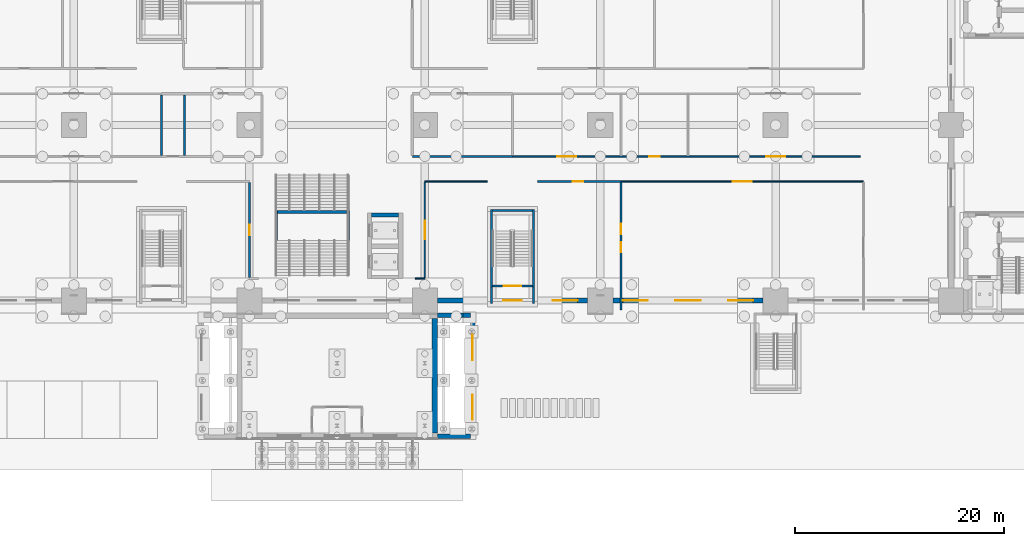
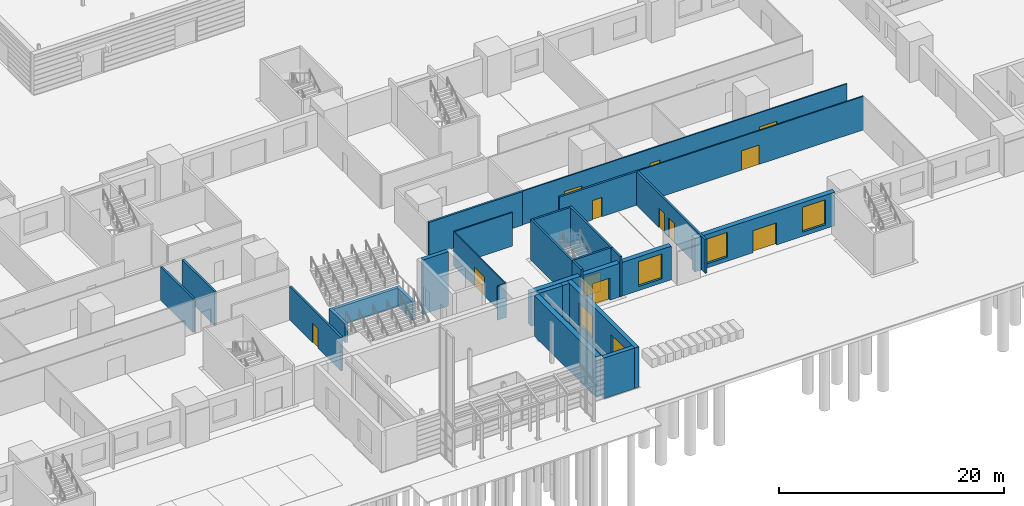
# One storey, part 82 of 139: 28 walls, 12 doors, 5 windows, 17 openings.
"""IFC4 building model written with IfcOpenShell, lengths in metres."""

from ifc_helpers import new_model, si_unit, direction, frame, frame_2d, origin, place, context, subcontext, project, spatial, rectangle, extrude, material, layer, layer_set, type_object, element, fill, save


model = new_model("IFC4")

# Units and contexts
model_context = context("Model", 3, precision=1e-05, world=origin(), true_north=direction((0.0, 1.0)))
body_context = subcontext(model_context, "Body", "Model", "MODEL_VIEW")
ifc_project = project(units=[si_unit("LENGTHUNIT", "METRE"), si_unit("AREAUNIT", "SQUARE_METRE"), si_unit("VOLUMEUNIT", "CUBIC_METRE"), si_unit("PLANEANGLEUNIT", "RADIAN"), si_unit("MASSUNIT", "GRAM", prefix="KILO")], contexts=[model_context])

# Site, building, storey
site_placement = place(None, origin())
site = spatial("IfcSite", under=ifc_project, at=site_placement, CompositionType="ELEMENT")
building_placement = place(site_placement, origin())
building = spatial("IfcBuilding", under=site, at=building_placement, Name="Verrick Yard Athletic Hall", CompositionType="ELEMENT")
storey_placement = place(building_placement, origin())
storey = spatial("IfcBuildingStorey", under=building, at=storey_placement, Name="L00", CompositionType="ELEMENT", Elevation=0.0)

# Walls
ifc_material_1 = material(Name="Concrete 35 MPa", Category="concrete")
ifc_layer_1 = layer(ifc_material_1, 0.39990234375)
ifc_layer_set_1 = layer_set([ifc_layer_1], Name="Core wall CR400")
wall_type_1 = type_object("IfcWallType", Name="Core wall CR400", PredefinedType="SHEAR", material=ifc_layer_set_1)
wall_1_placement = place(storey_placement, frame((102.10009765625, 27.39990234375, -1.5), z_axis=(0.0, 0.0, 1.0), x_axis=(1.0, 0.0, 0.0)))
element("IfcWall", 1, at=wall_1_placement, inside=storey, type_object=wall_type_1, Name="CORE-FOY-WN-L00", PredefinedType="SHEAR", context=body_context, shape_type="SweptSolid", body=[
    extrude(rectangle(XDim=2.599853515625, YDim=0.39990234375, at=frame_2d((1.2998046875, 0.0))), origin(), (0.0, 0.0, 1.0), 5.89990234375),
])
ifc_layer_2 = layer(ifc_material_1, 0.199951171875)
ifc_layer_set_2 = layer_set([ifc_layer_2], Name="Enclosure wall CR200")
wall_type_2 = type_object("IfcWallType", Name="Enclosure wall CR200", PredefinedType="SOLIDWALL", material=ifc_layer_set_2)
for number, where, z_axis, x_axis, name in (
    (2, (113.60009765625, 20.5, 0.0), (0.0, 0.0, 1.0), (0.0, 1.0, 0.0), "CORE-PS-S3-WW-L00"),
    (3, (117.60009765625, 20.5, 0.0), (0.0, 0.0, 1.0), (0.0, 1.0, 0.0), "CORE-PS-S3-WE-L00"),
):
    element("IfcWall", number, at=place(storey_placement, frame(where, z_axis=z_axis, x_axis=x_axis)), inside=storey, type_object=wall_type_2, Name=name, PredefinedType="SOLIDWALL", context=body_context, shape_type="SweptSolid", body=[
        extrude(rectangle(XDim=7.39990234375, YDim=0.199951171875, at=frame_2d((3.699951171875, 0.0))), origin(), (0.0, 0.0, 1.0), 4.39990234375),
    ])

# Wall, opening, door
wall_2_placement = place(storey_placement, frame((113.699951171875, 20.60009765625, 0.0), z_axis=(0.0, 0.0, 1.0), x_axis=(1.0, 0.0, 0.0)))
wall_2 = element("IfcWall", 4, at=wall_2_placement, inside=storey, type_object=wall_type_2, Name="CORE-PS-S3-WS-L00", PredefinedType="SOLIDWALL", context=body_context, shape_type="SweptSolid", body=[
    extrude(rectangle(XDim=3.800048828125, YDim=0.199951171875, at=frame_2d((1.89990234375, 0.0))), origin(), (0.0, 0.0, 1.0), 4.39990234375),
])
opening_1_placement = place(wall_2_placement, frame((1.050048828125, 0.0, 0.0)))
opening_1 = element("IfcOpeningElement", 5, at=opening_1_placement, cuts=wall_2, Name="Opening SD2", PredefinedType="OPENING", context=body_context, shape_type="SweptSolid", body=[
    extrude(rectangle(XDim=1.699951171875, YDim=2.10009765625, at=frame_2d((0.85009765625, 1.050048828125))), frame((0.0, 0.10986328125, 0.0), z_axis=(0.0, -1.0, 0.0), x_axis=(1.0, 0.0, 0.0)), (0.0, 0.0, 1.0), 0.219970703125),
])
ifc_material_2 = material(Name="Hollow metal door leaf")
door_type_1 = type_object("IfcDoorType", Name="Core door SD2 1700x2100", OperationType="NOTDEFINED", PredefinedType="DOOR", material=ifc_material_2)
door_1_placement = place(opening_1_placement, origin())
door_1 = element("IfcDoor", 6, at=door_1_placement, inside=storey, type_object=door_type_1, Name="CORE-PS-S3-WS-L00-DSD2-11560", OperationType="DOUBLE_DOOR_SINGLE_SWING", OverallHeight=2.10009765625, OverallWidth=1.699951171875, PredefinedType="DOOR", context=body_context, shape_type="SweptSolid", body=[
    extrude(rectangle(XDim=1.699951171875, YDim=2.10009765625, at=frame_2d((0.85009765625, 1.050048828125))), frame((0.0, 0.02490234375, 0.0), z_axis=(0.0, -1.0, 0.0), x_axis=(1.0, 0.0, 0.0)), (0.0, 0.0, 1.0), 0.050048828125),
])
fill(opening_1, door_1)

# Walls
wall_3_placement = place(storey_placement, frame((113.699951171875, 27.800048828125, 0.0), z_axis=(0.0, 0.0, 1.0), x_axis=(1.0, 0.0, 0.0)))
element("IfcWall", 7, at=wall_3_placement, inside=storey, type_object=wall_type_2, Name="CORE-PS-S3-WN-L00", PredefinedType="SOLIDWALL", context=body_context, shape_type="SweptSolid", body=[
    extrude(rectangle(XDim=3.800048828125, YDim=0.199951171875, at=frame_2d((1.89990234375, 0.0))), origin(), (0.0, 0.0, 1.0), 4.39990234375),
])
for number, where, z_axis, x_axis, name in (
    (8, (113.60009765625, 18.89990234375, 0.0), (0.0, 0.0, 1.0), (0.0, 1.0, 0.0), "CORE-PS-S3-VWW"),
    (9, (117.60009765625, 18.89990234375, 0.0), (0.0, 0.0, 1.0), (0.0, 1.0, 0.0), "CORE-PS-S3-VWE"),
):
    element("IfcWall", number, at=place(storey_placement, frame(where, z_axis=z_axis, x_axis=x_axis)), inside=storey, type_object=wall_type_2, Name=name, PredefinedType="SOLIDWALL", context=body_context, shape_type="SweptSolid", body=[
        extrude(rectangle(XDim=1.60009765625, YDim=0.199951171875, at=frame_2d((0.800048828125, 0.0))), origin(), (0.0, 0.0, 1.0), 4.39990234375),
    ])
ifc_layer_3 = layer(ifc_material_1, 0.300048828125)
ifc_layer_set_3 = layer_set([ifc_layer_3], Name="Foyer wall CR300")
wall_type_3 = type_object("IfcWallType", Name="Foyer wall CR300", PredefinedType="SOLIDWALL", material=ifc_layer_set_3)
for number, where, z_axis, x_axis, name in (
    (10, (92.949951171875, 24.9599609375, 0.0), (0.0, 0.0, 1.0), (0.0, 1.0, 0.0), "CORE-FOY-LWW"),
    (11, (99.85009765625, 24.9599609375, 0.0), (0.0, 0.0, 1.0), (0.0, 1.0, 0.0), "CORE-FOY-LWE"),
):
    element("IfcWall", number, at=place(storey_placement, frame(where, z_axis=z_axis, x_axis=x_axis)), inside=storey, type_object=wall_type_3, Name=name, PredefinedType="SOLIDWALL", context=body_context, shape_type="SweptSolid", body=[
        extrude(rectangle(XDim=2.880126953125, YDim=0.300048828125, at=frame_2d((1.43994140625, 0.0))), origin(), (0.0, 0.0, 1.0), 2.0),
    ])
wall_4_placement = place(storey_placement, frame((93.10009765625, 27.68994140625, 0.0), z_axis=(0.0, 0.0, 1.0), x_axis=(1.0, 0.0, 0.0)))
element("IfcWall", 12, at=wall_4_placement, inside=storey, type_object=wall_type_3, Name="CORE-FOY-LWN", PredefinedType="SOLIDWALL", context=body_context, shape_type="SweptSolid", body=[
    extrude(rectangle(XDim=6.599853515625, YDim=0.300048828125, at=frame_2d((3.2998046875, 0.0))), origin(), (0.0, 0.0, 1.0), 2.0),
])

# Wall, openings, windows
ifc_material_3 = material(Name="Tyndall-stone-look precast cladding", Category="masonry")
ifc_layer_4 = layer(ifc_material_3, 0.0625, Name="Tyndall-stone-look precast cladding")
ifc_material_4 = material(Name="Mineral wool insulation")
ifc_layer_5 = layer(ifc_material_4, 0.125, Name="Mineral wool insulation")
ifc_layer_6 = layer(ifc_material_1, 0.25, Name="Concrete 35 MPa")
ifc_layer_set_4 = layer_set([ifc_layer_4, ifc_layer_5, ifc_layer_6], Name="Lean-to wall")
wall_type_4 = type_object("IfcWallType", Name="Lean-to wall", PredefinedType="SOLIDWALL", material=ifc_layer_set_4)
wall_5_placement = place(storey_placement, frame((111.78125, 6.0, 0.0), z_axis=(0.0, 0.0, 1.0), x_axis=(0.0, 1.0, 0.0)))
wall_5 = element("IfcWall", 13, at=wall_5_placement, inside=storey, type_object=wall_type_4, Name="ENVB-LT-E-OUT", PredefinedType="SOLIDWALL", context=body_context, shape_type="SweptSolid", body=[
    extrude(rectangle(XDim=12.0, YDim=0.4375, at=frame_2d((6.0, 0.0))), origin(), (0.0, 0.0, 1.0), 4.39990234375),
])
opening_2_placement = place(wall_5_placement, frame((1.800048828125, 0.0, 0.89990234375)))
opening_2 = element("IfcOpeningElement", 14, at=opening_2_placement, cuts=wall_5, Name="Opening W32", PredefinedType="OPENING", context=body_context, shape_type="SweptSolid", body=[
    extrude(rectangle(XDim=2.39990234375, YDim=2.39990234375, at=frame_2d((1.199951171875, 1.199951171875))), frame((0.0, 0.228759765625, 0.0), z_axis=(0.0, -1.0, 0.0), x_axis=(1.0, 0.0, 0.0)), (0.0, 0.0, 1.0), 0.45751953125),
])
opening_3_placement = place(wall_5_placement, frame((7.5, 0.0, 0.89990234375)))
opening_3 = element("IfcOpeningElement", 15, at=opening_3_placement, cuts=wall_5, Name="Opening W32", PredefinedType="OPENING", context=body_context, shape_type="SweptSolid", body=[
    extrude(rectangle(XDim=2.39990234375, YDim=2.39990234375, at=frame_2d((1.199951171875, 1.199951171875))), frame((0.0, 0.228759765625, 0.0), z_axis=(0.0, -1.0, 0.0), x_axis=(1.0, 0.0, 0.0)), (0.0, 0.0, 1.0), 0.45751953125),
])
ifc_material_5 = material(Name="Anodised aluminium frame with insulated glazing", Category="aluminium")
window_type_1 = type_object("IfcWindowType", Name="Lean-to window 2400x2400", PartitioningType="NOTDEFINED", PredefinedType="WINDOW", material=ifc_material_5)
window_1_placement = place(opening_2_placement, origin())
window_1 = element("IfcWindow", 16, at=window_1_placement, inside=storey, type_object=window_type_1, Name="ENVB-LT-E-W1", OverallHeight=2.39990234375, OverallWidth=2.39990234375, PartitioningType="SINGLE_PANEL", PredefinedType="WINDOW", context=body_context, shape_type="SweptSolid", body=[
    extrude(rectangle(XDim=2.39990234375, YDim=2.39990234375, at=frame_2d((1.199951171875, 1.199951171875))), frame((0.0, 0.030029296875, 0.0), z_axis=(0.0, -1.0, 0.0), x_axis=(1.0, 0.0, 0.0)), (0.0, 0.0, 1.0), 0.06005859375),
])
fill(opening_2, window_1)
window_2_placement = place(opening_3_placement, origin())
window_2 = element("IfcWindow", 17, at=window_2_placement, inside=storey, type_object=window_type_1, Name="ENVB-LT-E-W2", OverallHeight=2.39990234375, OverallWidth=2.39990234375, PartitioningType="SINGLE_PANEL", PredefinedType="WINDOW", context=body_context, shape_type="SweptSolid", body=[
    extrude(rectangle(XDim=2.39990234375, YDim=2.39990234375, at=frame_2d((1.199951171875, 1.199951171875))), frame((0.0, 0.030029296875, 0.0), z_axis=(0.0, -1.0, 0.0), x_axis=(1.0, 0.0, 0.0)), (0.0, 0.0, 1.0), 0.06005859375),
])
fill(opening_3, window_2)

# Walls
wall_6_placement = place(storey_placement, frame((108.39990234375, 6.21875, 0.0), z_axis=(0.0, 0.0, 1.0), x_axis=(1.0, 0.0, 0.0)))
element("IfcWall", 18, at=wall_6_placement, inside=storey, type_object=wall_type_4, Name="ENVB-LT-E-S", PredefinedType="SOLIDWALL", context=body_context, shape_type="SweptSolid", body=[
    extrude(rectangle(XDim=3.16259765625, YDim=0.4375, at=frame_2d((1.581298828125, 0.0))), origin(), (0.0, 0.0, 1.0), 4.39990234375),
])
wall_7_placement = place(storey_placement, frame((108.39990234375, 17.78125, -0.89990234375), z_axis=(0.0, 0.0, 1.0), x_axis=(1.0, 0.0, 0.0)))
element("IfcWall", 19, at=wall_7_placement, inside=storey, type_object=wall_type_4, Name="ENVB-LT-E-N-1", PredefinedType="SOLIDWALL", context=body_context, shape_type="SweptSolid", body=[
    extrude(rectangle(XDim=2.4501953125, YDim=0.4375, at=frame_2d((1.22509765625, 0.0))), origin(), (0.0, 0.0, 1.0), 5.2998046875),
])
wall_8_placement = place(storey_placement, frame((110.85009765625, 17.78125, 0.0), z_axis=(0.0, 0.0, 1.0), x_axis=(1.0, 0.0, 0.0)))
element("IfcWall", 20, at=wall_8_placement, inside=storey, type_object=wall_type_4, Name="ENVB-LT-E-N-2", PredefinedType="SOLIDWALL", context=body_context, shape_type="SweptSolid", body=[
    extrude(rectangle(XDim=0.71240234375, YDim=0.4375, at=frame_2d((0.356201171875, 0.0))), origin(), (0.0, 0.0, 1.0), 4.39990234375),
])
ifc_material_6 = material(Name="Concrete masonry block 15 MPa", Category="masonry")
ifc_layer_7 = layer(ifc_material_6, 0.199951171875)
ifc_layer_set_5 = layer_set([ifc_layer_7], Name="PW1 Block partition 200")
wall_type_5 = type_object("IfcWallType", Name="PW1 Block partition 200", PredefinedType="PARTITIONING", material=ifc_layer_set_5)
wall_9_placement = place(storey_placement, frame((106.0, 33.0, 0.0), z_axis=(0.0, 0.0, 1.0), x_axis=(1.0, 0.0, 0.0)))
element("IfcWall", 21, at=wall_9_placement, inside=storey, type_object=wall_type_5, Name="Partition PW1", PredefinedType="PARTITIONING", context=body_context, shape_type="SweptSolid", body=[
    extrude(rectangle(XDim=9.60009765625, YDim=0.199951171875, at=frame_2d((4.800048828125, 0.0))), origin(), (0.0, 0.0, 1.0), 3.64990234375),
])
for number, where, z_axis, x_axis, name in (
    (22, (82.0, 33.10009765625, 0.0), (0.0, 0.0, 1.0), (0.0, 1.0, 0.0), "Partition PW1"),
    (23, (84.199951171875, 33.10009765625, 0.0), (0.0, 0.0, 1.0), (0.0, 1.0, 0.0), "Partition PW1"),
):
    element("IfcWall", number, at=place(storey_placement, frame(where, z_axis=z_axis, x_axis=x_axis)), inside=storey, type_object=wall_type_5, Name=name, PredefinedType="PARTITIONING", context=body_context, shape_type="SweptSolid", body=[
        extrude(rectangle(XDim=5.7998046875, YDim=0.199951171875, at=frame_2d((2.89990234375, 0.0))), origin(), (0.0, 0.0, 1.0), 3.64990234375),
    ])
ifc_material_7 = material(Name="Gypsum plasterboard on light-gauge studs")
ifc_layer_8 = layer(ifc_material_7, 0.125)
ifc_layer_set_6 = layer_set([ifc_layer_8], Name="PW2 Stud partition 125")
wall_type_6 = type_object("IfcWallType", Name="PW2 Stud partition 125", PredefinedType="PARTITIONING", material=ifc_layer_set_6)
wall_10_placement = place(storey_placement, frame((106.300048828125, 21.300048828125, 0.0), z_axis=(0.0, 0.0, 1.0), x_axis=(1.0, 0.0, 0.0)))
element("IfcWall", 24, at=wall_10_placement, inside=storey, type_object=wall_type_6, Name="Partition PW2", PredefinedType="PARTITIONING", context=body_context, shape_type="SweptSolid", body=[
    extrude(rectangle(XDim=0.89990234375, YDim=0.125, at=frame_2d((0.449951171875, 0.0))), origin(), (0.0, 0.0, 1.0), 3.64990234375),
])
wall_11_placement = place(storey_placement, frame((107.199951171875, 30.60009765625, 0.0), z_axis=(0.0, 0.0, 1.0), x_axis=(1.0, 0.0, 0.0)))
element("IfcWall", 25, at=wall_11_placement, inside=storey, type_object=wall_type_6, Name="Partition PW2", PredefinedType="PARTITIONING", context=body_context, shape_type="SweptSolid", body=[
    extrude(rectangle(XDim=6.0, YDim=0.125, at=frame_2d((3.0, 0.0))), origin(), (0.0, 0.0, 1.0), 3.64990234375),
])

# Wall, opening, door
wall_12_placement = place(storey_placement, frame((126.0, 30.60009765625, 0.0), z_axis=(0.0, 0.0, 1.0), x_axis=(1.0, 0.0, 0.0)))
wall_12 = element("IfcWall", 26, at=wall_12_placement, inside=storey, type_object=wall_type_6, Name="Partition PW2", PredefinedType="PARTITIONING", context=body_context, shape_type="SweptSolid", body=[
    extrude(rectangle(XDim=23.199951171875, YDim=0.125, at=frame_2d((11.60009765625, 0.0))), origin(), (0.0, 0.0, 1.0), 3.64990234375),
])
opening_4_placement = place(wall_12_placement, frame((10.699951171875, 0.0, 0.0)))
opening_4 = element("IfcOpeningElement", 27, at=opening_4_placement, cuts=wall_12, Name="Opening D3", PredefinedType="OPENING", context=body_context, shape_type="SweptSolid", body=[
    extrude(rectangle(XDim=1.800048828125, YDim=2.10009765625, at=frame_2d((0.89990234375, 1.050048828125))), frame((0.0, 0.072509765625, 0.0), z_axis=(0.0, -1.0, 0.0), x_axis=(1.0, 0.0, 0.0)), (0.0, 0.0, 1.0), 0.14501953125),
])
ifc_material_8 = material(Name="Timber door leaf in steel frame", Category="steel")
door_type_2 = type_object("IfcDoorType", Name="D3 Double door 1800 x 2100", OperationType="NOTDEFINED", PredefinedType="DOOR", material=ifc_material_8)
door_2_placement = place(opening_4_placement, origin())
door_2 = element("IfcDoor", 28, at=door_2_placement, inside=storey, type_object=door_type_2, Name="D3 Cafe", OperationType="DOUBLE_DOOR_SINGLE_SWING", OverallHeight=2.10009765625, OverallWidth=1.800048828125, PredefinedType="DOOR", context=body_context, shape_type="SweptSolid", body=[
    extrude(rectangle(XDim=1.800048828125, YDim=2.10009765625, at=frame_2d((0.89990234375, 1.050048828125))), frame((0.0, 0.02490234375, 0.0), z_axis=(0.0, -1.0, 0.0), x_axis=(1.0, 0.0, 0.0)), (0.0, 0.0, 1.0), 0.050048828125),
])
fill(opening_4, door_2)

# Wall, openings, doors
wall_13_placement = place(storey_placement, frame((115.60009765625, 33.0, 0.0), z_axis=(0.0, 0.0, 1.0), x_axis=(1.0, 0.0, 0.0)))
wall_13 = element("IfcWall", 29, at=wall_13_placement, inside=storey, type_object=wall_type_6, Name="Partition PW2", PredefinedType="PARTITIONING", context=body_context, shape_type="SweptSolid", body=[
    extrude(rectangle(XDim=33.2998046875, YDim=0.125, at=frame_2d((16.64990234375, 0.0))), origin(), (0.0, 0.0, 1.0), 3.64990234375),
])
opening_5_placement = place(wall_13_placement, frame((4.300048828125, 0.0, 0.0)))
opening_5 = element("IfcOpeningElement", 30, at=opening_5_placement, cuts=wall_13, Name="Opening D3", PredefinedType="OPENING", context=body_context, shape_type="SweptSolid", body=[
    extrude(rectangle(XDim=1.800048828125, YDim=2.10009765625, at=frame_2d((0.89990234375, 1.050048828125))), frame((0.0, 0.072509765625, 0.0), z_axis=(0.0, -1.0, 0.0), x_axis=(1.0, 0.0, 0.0)), (0.0, 0.0, 1.0), 0.14501953125),
])
opening_6_placement = place(wall_13_placement, frame((13.10009765625, 0.0, 0.0)))
opening_6 = element("IfcOpeningElement", 31, at=opening_6_placement, cuts=wall_13, Name="Opening D1", PredefinedType="OPENING", context=body_context, shape_type="SweptSolid", body=[
    extrude(rectangle(XDim=1.0, YDim=2.10009765625, at=frame_2d((0.5, 1.050048828125))), frame((0.0, 0.072509765625, 0.0), z_axis=(0.0, -1.0, 0.0), x_axis=(1.0, 0.0, 0.0)), (0.0, 0.0, 1.0), 0.14501953125),
])
opening_7_placement = place(wall_13_placement, frame((24.300048828125, 0.0, 0.0)))
opening_7 = element("IfcOpeningElement", 32, at=opening_7_placement, cuts=wall_13, Name="Opening D3", PredefinedType="OPENING", context=body_context, shape_type="SweptSolid", body=[
    extrude(rectangle(XDim=1.800048828125, YDim=2.10009765625, at=frame_2d((0.89990234375, 1.050048828125))), frame((0.0, 0.072509765625, 0.0), z_axis=(0.0, -1.0, 0.0), x_axis=(1.0, 0.0, 0.0)), (0.0, 0.0, 1.0), 0.14501953125),
])
door_type_3 = type_object("IfcDoorType", Name="D1 Single door 1000 x 2100", OperationType="NOTDEFINED", PredefinedType="DOOR", material=ifc_material_8)
door_3_placement = place(opening_6_placement, origin())
door_3 = element("IfcDoor", 33, at=door_3_placement, inside=storey, type_object=door_type_3, Name="D1 Community Room 5", OperationType="SINGLE_SWING_LEFT", OverallHeight=2.10009765625, OverallWidth=1.0, PredefinedType="DOOR", context=body_context, shape_type="SweptSolid", body=[
    extrude(rectangle(XDim=1.0, YDim=2.10009765625, at=frame_2d((0.5, 1.050048828125))), frame((0.0, 0.02490234375, 0.0), z_axis=(0.0, -1.0, 0.0), x_axis=(1.0, 0.0, 0.0)), (0.0, 0.0, 1.0), 0.050048828125),
])
fill(opening_6, door_3)
door_4_placement = place(opening_5_placement, origin())
door_4 = element("IfcDoor", 34, at=door_4_placement, inside=storey, type_object=door_type_2, Name="D3 First Aid Room", OperationType="DOUBLE_DOOR_SINGLE_SWING", OverallHeight=2.10009765625, OverallWidth=1.800048828125, PredefinedType="DOOR", context=body_context, shape_type="SweptSolid", body=[
    extrude(rectangle(XDim=1.800048828125, YDim=2.10009765625, at=frame_2d((0.89990234375, 1.050048828125))), frame((0.0, 0.02490234375, 0.0), z_axis=(0.0, -1.0, 0.0), x_axis=(1.0, 0.0, 0.0)), (0.0, 0.0, 1.0), 0.050048828125),
])
fill(opening_5, door_4)
door_5_placement = place(opening_7_placement, origin())
door_5 = element("IfcDoor", 35, at=door_5_placement, inside=storey, type_object=door_type_2, Name="D3 Community Room 6", OperationType="DOUBLE_DOOR_SINGLE_SWING", OverallHeight=2.10009765625, OverallWidth=1.800048828125, PredefinedType="DOOR", context=body_context, shape_type="SweptSolid", body=[
    extrude(rectangle(XDim=1.800048828125, YDim=2.10009765625, at=frame_2d((0.89990234375, 1.050048828125))), frame((0.0, 0.02490234375, 0.0), z_axis=(0.0, -1.0, 0.0), x_axis=(1.0, 0.0, 0.0)), (0.0, 0.0, 1.0), 0.050048828125),
])
fill(opening_7, door_5)

# Wall, opening, door
wall_14_placement = place(storey_placement, frame((107.199951171875, 21.362548828125, 0.0), z_axis=(0.0, 0.0, 1.0), x_axis=(0.0, 1.0, 0.0)))
wall_14 = element("IfcWall", 36, at=wall_14_placement, inside=storey, type_object=wall_type_6, Name="Partition PW2", PredefinedType="PARTITIONING", context=body_context, shape_type="SweptSolid", body=[
    extrude(rectangle(XDim=9.175048828125, YDim=0.125, at=frame_2d((4.58740234375, 0.0))), origin(), (0.0, 0.0, 1.0), 3.64990234375),
])
opening_8_placement = place(wall_14_placement, frame((3.68798828125, 0.0, 0.0)))
opening_8 = element("IfcOpeningElement", 37, at=opening_8_placement, cuts=wall_14, Name="Opening D3", PredefinedType="OPENING", context=body_context, shape_type="SweptSolid", body=[
    extrude(rectangle(XDim=1.800048828125, YDim=2.10009765625, at=frame_2d((0.89990234375, 1.050048828125))), frame((0.0, 0.072509765625, 0.0), z_axis=(0.0, -1.0, 0.0), x_axis=(1.0, 0.0, 0.0)), (0.0, 0.0, 1.0), 0.14501953125),
])
door_6_placement = place(opening_8_placement, origin())
door_6 = element("IfcDoor", 38, at=door_6_placement, inside=storey, type_object=door_type_2, Name="D3 Community Room 4", OperationType="DOUBLE_DOOR_SINGLE_SWING", OverallHeight=2.10009765625, OverallWidth=1.800048828125, PredefinedType="DOOR", context=body_context, shape_type="SweptSolid", body=[
    extrude(rectangle(XDim=1.800048828125, YDim=2.10009765625, at=frame_2d((0.89990234375, 1.050048828125))), frame((0.0, 0.02490234375, 0.0), z_axis=(0.0, -1.0, 0.0), x_axis=(1.0, 0.0, 0.0)), (0.0, 0.0, 1.0), 0.050048828125),
])
fill(opening_8, door_6)

ifc_layer_9 = layer(ifc_material_6, 0.199951171875)
ifc_layer_set_7 = layer_set([ifc_layer_9], Name="PW3 Fire-rated block partition 200")
wall_type_7 = type_object("IfcWallType", Name="PW3 Fire-rated block partition 200", PredefinedType="PARTITIONING", material=ifc_layer_set_7)
wall_15_placement = place(storey_placement, frame((118.0, 30.60009765625, 0.0), z_axis=(0.0, 0.0, 1.0), x_axis=(1.0, 0.0, 0.0)))
wall_15 = element("IfcWall", 39, at=wall_15_placement, inside=storey, type_object=wall_type_7, Name="Partition PW3", PredefinedType="PARTITIONING", context=body_context, shape_type="SweptSolid", body=[
    extrude(rectangle(XDim=8.0, YDim=0.199951171875, at=frame_2d((4.0, 0.0))), origin(), (0.0, 0.0, 1.0), 3.64990234375),
])
opening_9_placement = place(wall_15_placement, frame((3.35009765625, 0.0, 0.0)))
opening_9 = element("IfcOpeningElement", 40, at=opening_9_placement, cuts=wall_15, Name="Opening D5", PredefinedType="OPENING", context=body_context, shape_type="SweptSolid", body=[
    extrude(rectangle(XDim=1.0, YDim=2.10009765625, at=frame_2d((0.5, 1.050048828125))), frame((0.0, 0.10986328125, 0.0), z_axis=(0.0, -1.0, 0.0), x_axis=(1.0, 0.0, 0.0)), (0.0, 0.0, 1.0), 0.219970703125),
])
ifc_material_9 = material(Name="Fire-rated timber door leaf in steel frame", Category="steel")
door_type_4 = type_object("IfcDoorType", Name="D5 Fire door 1000 x 2100", OperationType="NOTDEFINED", PredefinedType="DOOR", material=ifc_material_9)
door_7_placement = place(opening_9_placement, origin())
door_7 = element("IfcDoor", 41, at=door_7_placement, inside=storey, type_object=door_type_4, Name="D5 Catering Kitchen", OperationType="SINGLE_SWING_LEFT", OverallHeight=2.10009765625, OverallWidth=1.0, PredefinedType="DOOR", context=body_context, shape_type="SweptSolid", body=[
    extrude(rectangle(XDim=1.0, YDim=2.10009765625, at=frame_2d((0.5, 1.050048828125))), frame((0.0, 0.02490234375, 0.0), z_axis=(0.0, -1.0, 0.0), x_axis=(1.0, 0.0, 0.0)), (0.0, 0.0, 1.0), 0.050048828125),
])
fill(opening_9, door_7)

wall_16_placement = place(storey_placement, frame((90.39990234375, 21.39990234375, 0.0), z_axis=(0.0, 0.0, 1.0), x_axis=(0.0, 1.0, 0.0)))
wall_16 = element("IfcWall", 42, at=wall_16_placement, inside=storey, type_object=wall_type_7, Name="Partition PW3", PredefinedType="PARTITIONING", context=body_context, shape_type="SweptSolid", body=[
    extrude(rectangle(XDim=9.10009765625, YDim=0.199951171875, at=frame_2d((4.550048828125, 0.0))), origin(), (0.0, 0.0, 1.0), 3.64990234375),
])
opening_10_placement = place(wall_16_placement, frame((4.050048828125, 0.0, 0.0)))
opening_10 = element("IfcOpeningElement", 43, at=opening_10_placement, cuts=wall_16, Name="Opening D5", PredefinedType="OPENING", context=body_context, shape_type="SweptSolid", body=[
    extrude(rectangle(XDim=1.0, YDim=2.10009765625, at=frame_2d((0.5, 1.050048828125))), frame((0.0, 0.10986328125, 0.0), z_axis=(0.0, -1.0, 0.0), x_axis=(1.0, 0.0, 0.0)), (0.0, 0.0, 1.0), 0.219970703125),
])
door_8_placement = place(opening_10_placement, origin())
door_8 = element("IfcDoor", 44, at=door_8_placement, inside=storey, type_object=door_type_4, Name="D5 Switchgear Plant Room", OperationType="SINGLE_SWING_RIGHT", OverallHeight=2.10009765625, OverallWidth=1.0, PredefinedType="DOOR", context=body_context, shape_type="SweptSolid", body=[
    extrude(rectangle(XDim=1.0, YDim=2.10009765625, at=frame_2d((0.5, 1.050048828125))), frame((0.0, 0.02490234375, 0.0), z_axis=(0.0, -1.0, 0.0), x_axis=(1.0, 0.0, 0.0)), (0.0, 0.0, 1.0), 0.050048828125),
])
fill(opening_10, door_8)

# Wall, openings, doors
wall_17_placement = place(storey_placement, frame((126.0, 18.300048828125, 0.0), z_axis=(0.0, 0.0, 1.0), x_axis=(0.0, 1.0, 0.0)))
wall_17 = element("IfcWall", 45, at=wall_17_placement, inside=storey, type_object=wall_type_7, Name="Partition PW3", PredefinedType="PARTITIONING", context=body_context, shape_type="SweptSolid", body=[
    extrude(rectangle(XDim=12.237548828125, YDim=0.199951171875, at=frame_2d((6.11865234375, 0.0))), origin(), (0.0, 0.0, 1.0), 3.64990234375),
])
opening_11_placement = place(wall_17_placement, frame((5.5, 0.0, 0.0)))
opening_11 = element("IfcOpeningElement", 46, at=opening_11_placement, cuts=wall_17, Name="Opening D5", PredefinedType="OPENING", context=body_context, shape_type="SweptSolid", body=[
    extrude(rectangle(XDim=1.0, YDim=2.10009765625, at=frame_2d((0.5, 1.050048828125))), frame((0.0, 0.10986328125, 0.0), z_axis=(0.0, -1.0, 0.0), x_axis=(1.0, 0.0, 0.0)), (0.0, 0.0, 1.0), 0.219970703125),
])
opening_12_placement = place(wall_17_placement, frame((7.25, 0.0, 0.0)))
opening_12 = element("IfcOpeningElement", 47, at=opening_12_placement, cuts=wall_17, Name="Opening D5", PredefinedType="OPENING", context=body_context, shape_type="SweptSolid", body=[
    extrude(rectangle(XDim=1.0, YDim=2.10009765625, at=frame_2d((0.5, 1.050048828125))), frame((0.0, 0.10986328125, 0.0), z_axis=(0.0, -1.0, 0.0), x_axis=(1.0, 0.0, 0.0)), (0.0, 0.0, 1.0), 0.219970703125),
])
door_9_placement = place(opening_11_placement, origin())
door_9 = element("IfcDoor", 48, at=door_9_placement, inside=storey, type_object=door_type_4, Name="D5 Catering Kitchen", OperationType="SINGLE_SWING_LEFT", OverallHeight=2.10009765625, OverallWidth=1.0, PredefinedType="DOOR", context=body_context, shape_type="SweptSolid", body=[
    extrude(rectangle(XDim=1.0, YDim=2.10009765625, at=frame_2d((0.5, 1.050048828125))), frame((0.0, 0.02490234375, 0.0), z_axis=(0.0, -1.0, 0.0), x_axis=(1.0, 0.0, 0.0)), (0.0, 0.0, 1.0), 0.050048828125),
])
fill(opening_11, door_9)
door_10_placement = place(opening_12_placement, origin())
door_10 = element("IfcDoor", 49, at=door_10_placement, inside=storey, type_object=door_type_4, Name="D5 Catering Kitchen", OperationType="SINGLE_SWING_RIGHT", OverallHeight=2.10009765625, OverallWidth=1.0, PredefinedType="DOOR", context=body_context, shape_type="SweptSolid", body=[
    extrude(rectangle(XDim=1.0, YDim=2.10009765625, at=frame_2d((0.5, 1.050048828125))), frame((0.0, 0.02490234375, 0.0), z_axis=(0.0, -1.0, 0.0), x_axis=(1.0, 0.0, 0.0)), (0.0, 0.0, 1.0), 0.050048828125),
])
fill(opening_12, door_10)

# Wall
ifc_layer_10 = layer(ifc_material_3, 0.125, Name="Tyndall-stone-look precast cladding")
ifc_layer_11 = layer(ifc_material_4, 0.125, Name="Mineral wool insulation")
ifc_layer_12 = layer(ifc_material_1, 0.25, Name="Concrete 35 MPa")
ifc_layer_set_8 = layer_set([ifc_layer_10, ifc_layer_11, ifc_layer_12], Name="Pavilion internal wall")
wall_type_8 = type_object("IfcWallType", Name="Pavilion internal wall", PredefinedType="SOLIDWALL", material=ifc_layer_set_8)
wall_18_placement = place(storey_placement, frame((108.14990234375, 6.5, 0.0), z_axis=(0.0, 0.0, 1.0), x_axis=(0.0, 1.0, 0.0)))
element("IfcWall", 50, at=wall_18_placement, inside=storey, type_object=wall_type_8, Name="ENVB-FY-E-L00", PredefinedType="SOLIDWALL", context=body_context, shape_type="SweptSolid", body=[
    extrude(rectangle(XDim=11.0, YDim=0.5, at=frame_2d((5.5, 0.0))), origin(), (0.0, 0.0, 1.0), 4.39990234375),
])

# Wall, openings, door, window
ifc_material_10 = material(Name="Rusticated limestone cladding", Category="masonry")
ifc_layer_13 = layer(ifc_material_10, 0.10009765625, Name="Rusticated limestone cladding")
ifc_layer_14 = layer(ifc_material_4, 0.10009765625, Name="Mineral wool insulation")
ifc_layer_15 = layer(ifc_material_1, 0.300048828125, Name="Concrete 35 MPa")
ifc_layer_set_9 = layer_set([ifc_layer_13, ifc_layer_14, ifc_layer_15], Name="Rusticated base wall 500")
wall_type_9 = type_object("IfcWallType", Name="Rusticated base wall 500", PredefinedType="SOLIDWALL", material=ifc_layer_set_9)
wall_19_placement = place(storey_placement, frame((108.39990234375, 19.199951171875, 0.0), z_axis=(0.0, 0.0, 1.0), x_axis=(1.0, 0.0, 0.0)))
wall_19 = element("IfcWall", 51, at=wall_19_placement, inside=storey, type_object=wall_type_9, Name="Base wall S5", PredefinedType="SOLIDWALL", context=body_context, shape_type="SweptSolid", body=[
    extrude(rectangle(XDim=14.400146484375, YDim=0.5, at=frame_2d((7.2001953125, 0.0))), origin(), (0.0, 0.0, 1.0), 3.64990234375),
])
opening_13_placement = place(wall_19_placement, frame((11.0400390625, 0.0, 0.449951171875)))
opening_13 = element("IfcOpeningElement", 52, at=opening_13_placement, cuts=wall_19, Name="Opening W2", PredefinedType="OPENING", context=body_context, shape_type="SweptSolid", body=[
    extrude(rectangle(XDim=2.39990234375, YDim=2.699951171875, at=frame_2d((1.199951171875, 1.35009765625))), frame((0.0, 0.260009765625, 0.0), z_axis=(0.0, -1.0, 0.0), x_axis=(1.0, 0.0, 0.0)), (0.0, 0.0, 1.0), 0.52001953125),
])
opening_14_placement = place(wall_19_placement, frame((6.300048828125, 0.0, 0.0)))
opening_14 = element("IfcOpeningElement", 53, at=opening_14_placement, cuts=wall_19, Name="Opening ED5", PredefinedType="OPENING", context=body_context, shape_type="SweptSolid", body=[
    extrude(rectangle(XDim=1.800048828125, YDim=2.39990234375, at=frame_2d((0.89990234375, 1.199951171875))), frame((0.0, 0.260009765625, 0.0), z_axis=(0.0, -1.0, 0.0), x_axis=(1.0, 0.0, 0.0)), (0.0, 0.0, 1.0), 0.52001953125),
])
ifc_material_11 = material(Name="Insulated steel door", Category="steel")
door_type_5 = type_object("IfcDoorType", Name="Exit door pair 1800 x 2400", OperationType="NOTDEFINED", PredefinedType="DOOR", material=ifc_material_11)
door_11_placement = place(opening_14_placement, origin())
door_11 = element("IfcDoor", 54, at=door_11_placement, inside=storey, type_object=door_type_5, Name="Exterior door E13", OperationType="DOUBLE_DOOR_SINGLE_SWING", OverallHeight=2.39990234375, OverallWidth=1.800048828125, PredefinedType="DOOR", context=body_context, shape_type="SweptSolid", body=[
    extrude(rectangle(XDim=1.800048828125, YDim=2.39990234375, at=frame_2d((0.89990234375, 1.199951171875))), frame((0.0, 0.02490234375, 0.0), z_axis=(0.0, -1.0, 0.0), x_axis=(1.0, 0.0, 0.0)), (0.0, 0.0, 1.0), 0.050048828125),
])
fill(opening_14, door_11)
ifc_material_12 = material(Name="Aluminium frame with double glazing", Category="aluminium")
window_type_2 = type_object("IfcWindowType", Name="Window 2400 x 2700", PartitioningType="NOTDEFINED", PredefinedType="WINDOW", material=ifc_material_12)
window_3_placement = place(opening_13_placement, origin())
window_3 = element("IfcWindow", 55, at=window_3_placement, inside=storey, type_object=window_type_2, Name="Window S5.1", OverallHeight=2.699951171875, OverallWidth=2.39990234375, PartitioningType="SINGLE_PANEL", PredefinedType="WINDOW", context=body_context, shape_type="SweptSolid", body=[
    extrude(rectangle(XDim=2.39990234375, YDim=2.699951171875, at=frame_2d((1.199951171875, 1.35009765625))), frame((0.0, 0.030029296875, 0.0), z_axis=(0.0, -1.0, 0.0), x_axis=(1.0, 0.0, 0.0)), (0.0, 0.0, 1.0), 0.06005859375),
])
fill(opening_13, window_3)

# Wall, openings, door, windows
wall_20_placement = place(storey_placement, frame((125.199951171875, 19.199951171875, 0.0), z_axis=(0.0, 0.0, 1.0), x_axis=(1.0, 0.0, 0.0)))
wall_20 = element("IfcWall", 56, at=wall_20_placement, inside=storey, type_object=wall_type_9, Name="Base wall S6", PredefinedType="SOLIDWALL", context=body_context, shape_type="SweptSolid", body=[
    extrude(rectangle(XDim=14.400146484375, YDim=0.5, at=frame_2d((7.2001953125, 0.0))), origin(), (0.0, 0.0, 1.0), 3.64990234375),
])
opening_15_placement = place(wall_20_placement, frame((0.9599609375, 0.0, 0.449951171875)))
opening_15 = element("IfcOpeningElement", 57, at=opening_15_placement, cuts=wall_20, Name="Opening W2", PredefinedType="OPENING", context=body_context, shape_type="SweptSolid", body=[
    extrude(rectangle(XDim=2.39990234375, YDim=2.699951171875, at=frame_2d((1.199951171875, 1.35009765625))), frame((0.0, 0.260009765625, 0.0), z_axis=(0.0, -1.0, 0.0), x_axis=(1.0, 0.0, 0.0)), (0.0, 0.0, 1.0), 0.52001953125),
])
opening_16_placement = place(wall_20_placement, frame((11.0400390625, 0.0, 0.449951171875)))
opening_16 = element("IfcOpeningElement", 58, at=opening_16_placement, cuts=wall_20, Name="Opening W2", PredefinedType="OPENING", context=body_context, shape_type="SweptSolid", body=[
    extrude(rectangle(XDim=2.39990234375, YDim=2.699951171875, at=frame_2d((1.199951171875, 1.35009765625))), frame((0.0, 0.260009765625, 0.0), z_axis=(0.0, -1.0, 0.0), x_axis=(1.0, 0.0, 0.0)), (0.0, 0.0, 1.0), 0.52001953125),
])
opening_17_placement = place(wall_20_placement, frame((6.0, 0.0, 0.0)))
opening_17 = element("IfcOpeningElement", 59, at=opening_17_placement, cuts=wall_20, Name="Opening ED2", PredefinedType="OPENING", context=body_context, shape_type="SweptSolid", body=[
    extrude(rectangle(XDim=2.39990234375, YDim=2.39990234375, at=frame_2d((1.199951171875, 1.199951171875))), frame((0.0, 0.260009765625, 0.0), z_axis=(0.0, -1.0, 0.0), x_axis=(1.0, 0.0, 0.0)), (0.0, 0.0, 1.0), 0.52001953125),
])
door_type_6 = type_object("IfcDoorType", Name="Terrace door pair 2400 x 2400", OperationType="NOTDEFINED", PredefinedType="DOOR", material=ifc_material_12)
door_12_placement = place(opening_17_placement, origin())
door_12 = element("IfcDoor", 60, at=door_12_placement, inside=storey, type_object=door_type_6, Name="Exterior door E7", OperationType="DOUBLE_DOOR_SINGLE_SWING", OverallHeight=2.39990234375, OverallWidth=2.39990234375, PredefinedType="DOOR", context=body_context, shape_type="SweptSolid", body=[
    extrude(rectangle(XDim=2.39990234375, YDim=2.39990234375, at=frame_2d((1.199951171875, 1.199951171875))), frame((0.0, 0.02490234375, 0.0), z_axis=(0.0, -1.0, 0.0), x_axis=(1.0, 0.0, 0.0)), (0.0, 0.0, 1.0), 0.050048828125),
])
fill(opening_17, door_12)
window_4_placement = place(opening_15_placement, origin())
window_4 = element("IfcWindow", 61, at=window_4_placement, inside=storey, type_object=window_type_2, Name="Window S6.1", OverallHeight=2.699951171875, OverallWidth=2.39990234375, PartitioningType="SINGLE_PANEL", PredefinedType="WINDOW", context=body_context, shape_type="SweptSolid", body=[
    extrude(rectangle(XDim=2.39990234375, YDim=2.699951171875, at=frame_2d((1.199951171875, 1.35009765625))), frame((0.0, 0.030029296875, 0.0), z_axis=(0.0, -1.0, 0.0), x_axis=(1.0, 0.0, 0.0)), (0.0, 0.0, 1.0), 0.06005859375),
])
fill(opening_15, window_4)
window_5_placement = place(opening_16_placement, origin())
window_5 = element("IfcWindow", 62, at=window_5_placement, inside=storey, type_object=window_type_2, Name="Window S6.2", OverallHeight=2.699951171875, OverallWidth=2.39990234375, PartitioningType="SINGLE_PANEL", PredefinedType="WINDOW", context=body_context, shape_type="SweptSolid", body=[
    extrude(rectangle(XDim=2.39990234375, YDim=2.699951171875, at=frame_2d((1.199951171875, 1.35009765625))), frame((0.0, 0.030029296875, 0.0), z_axis=(0.0, -1.0, 0.0), x_axis=(1.0, 0.0, 0.0)), (0.0, 0.0, 1.0), 0.06005859375),
])
fill(opening_16, window_5)

save(model, "model.ifc")
